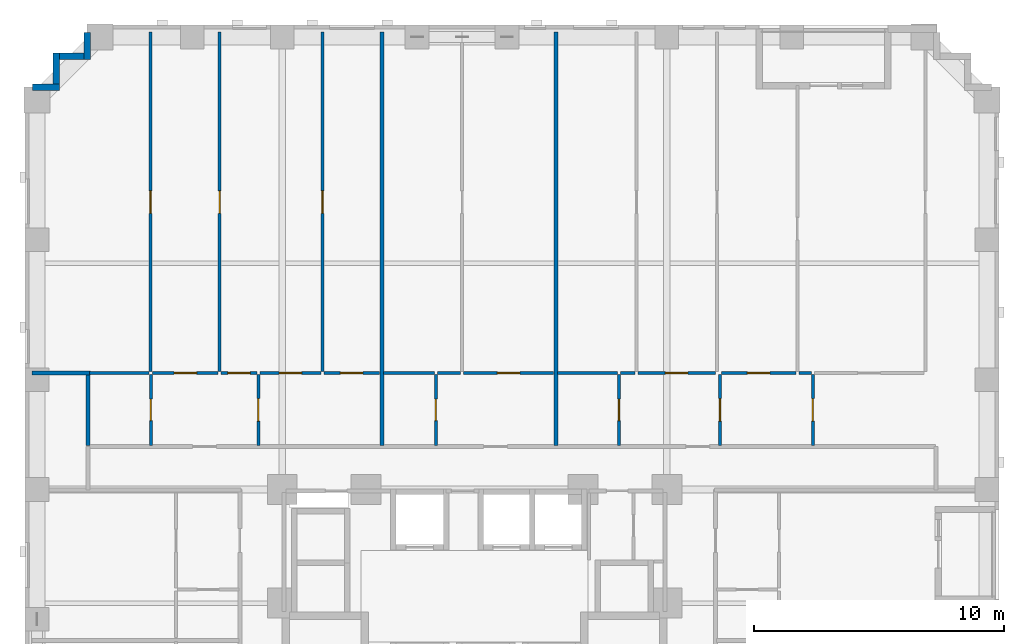
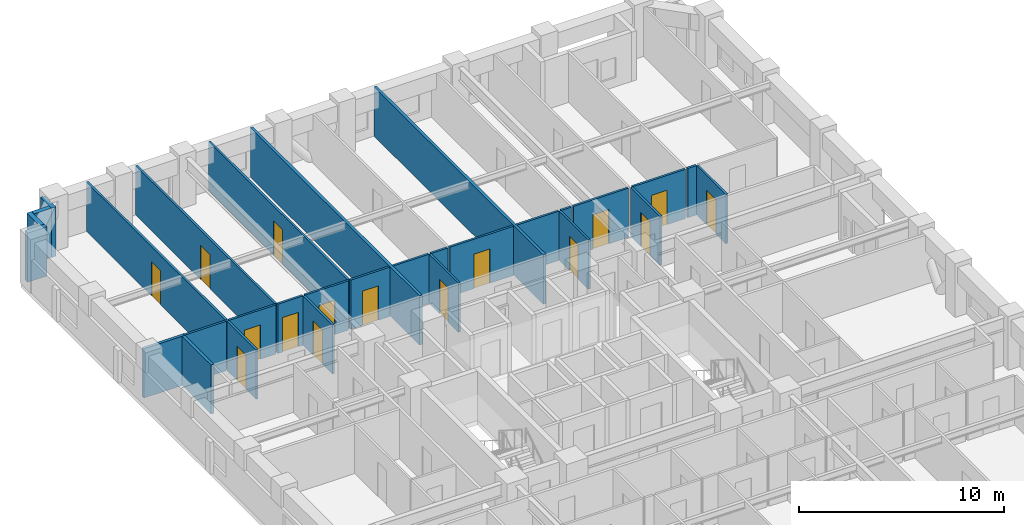
# One storey, part 7 of 13: 30 walls, 16 doors, 16 openings.
"""IFC4 building model written with IfcOpenShell, lengths in metres."""

import ifcopenshell
import ifcopenshell.guid

model = None  # the IFC model being written
_history = None  # IfcOwnerHistory: only IFC2X3 demands one
_inside = {}  # id of a spatial element -> (the spatial element, [elements in it])
_under = {}  # id of a project, library or spatial element -> (it, [spatial elements below it])
_declared = {}  # id of a project -> (the project, [libraries it declares])
_typed = {}  # id of a type object -> (the type object, [elements of that type])
_made_of = {}  # id of a material, layer set ... -> (it, [elements and type objects made of it])


def new_model(schema):
    """Start an empty IFC model of exactly this schema.

    Asked for "IFC4X3", IfcOpenShell would pick the latest addendum, in which some entities
    have other attributes; the version numbers below select the first issue.
    IFC2X3 requires an IfcOwnerHistory on every rooted entity: one is made here for all.
    """
    global model, _history
    if schema == "IFC4X3":
        model = ifcopenshell.file(schema_version=(4, 3, 0, 0))
    else:
        model = ifcopenshell.file(schema=schema)
    _inside.clear()
    _under.clear()
    _declared.clear()
    _typed.clear()
    _made_of.clear()
    _history = None
    if model.schema == "IFC2X3":
        org = make("IfcOrganization", Name="unknown")
        user = make(
            "IfcPersonAndOrganization",
            ThePerson=make("IfcPerson", FamilyName="unknown"),
            TheOrganization=org,
        )
        app = make(
            "IfcApplication",
            ApplicationDeveloper=org,
            Version="unknown",
            ApplicationFullName="unknown",
            ApplicationIdentifier="unknown",
        )
        _history = make(
            "IfcOwnerHistory",
            OwningUser=user,
            OwningApplication=app,
            ChangeAction="ADDED",
            CreationDate=0,
        )
    return model


def make(cls, **values):
    """One entity of the class cls with the attributes given. An attribute that is None is left unset."""
    return model.create_entity(
        cls, **{name: value for name, value in values.items() if value is not None}
    )


def rooted(cls, **values):
    """An entity with a GlobalId (a new one), such as an element, a storey or a relation."""
    return make(cls, GlobalId=ifcopenshell.guid.new(), OwnerHistory=_history, **values)


def si_unit(unit_type, name, prefix=None):
    """IfcSIUnit, for example si_unit("LENGTHUNIT", "METRE", prefix="MILLI")."""
    return make("IfcSIUnit", UnitType=unit_type, Prefix=prefix, Name=name)


def derived_unit(unit_type, elements):
    """IfcDerivedUnit: a product of units, each with its exponent."""
    return make(
        "IfcDerivedUnit",
        Elements=[
            make("IfcDerivedUnitElement", Unit=unit, Exponent=power)
            for unit, power in elements
        ],
        UnitType=unit_type,
    )


def assignment(units):
    """IfcUnitAssignment: the units of a project."""
    return None if units is None else make("IfcUnitAssignment", Units=units)


def point(xyz):
    """IfcCartesianPoint."""
    return None if xyz is None else make("IfcCartesianPoint", Coordinates=xyz)


def direction(xyz):
    """IfcDirection."""
    return None if xyz is None else make("IfcDirection", DirectionRatios=xyz)


def frame(location, z_axis=None, x_axis=None):
    """IfcAxis2Placement3D, a coordinate frame: its origin and axes. An axis left out is left unset."""
    return make(
        "IfcAxis2Placement3D",
        Location=point(location),
        Axis=direction(z_axis),
        RefDirection=direction(x_axis),
    )


def frame_2d(location, x_axis=None):
    """IfcAxis2Placement2D, a coordinate frame in the plane: its origin and x axis."""
    return make(
        "IfcAxis2Placement2D", Location=point(location), RefDirection=direction(x_axis)
    )


def origin():
    """The frame at (0, 0, 0) with its axes left unset."""
    return frame((0.0, 0.0, 0.0))


def place(relative_to, where):
    """IfcLocalPlacement: puts the frame where relative to a parent placement (None: the world)."""
    return make(
        "IfcLocalPlacement", PlacementRelTo=relative_to, RelativePlacement=where
    )


def context(
    kind, dimensions, precision=None, world=None, true_north=None, identifier=None
):
    """IfcGeometricRepresentationContext, for example the 3D "Model" context."""
    return make(
        "IfcGeometricRepresentationContext",
        ContextIdentifier=identifier,
        ContextType=kind,
        CoordinateSpaceDimension=dimensions,
        Precision=precision,
        WorldCoordinateSystem=world,
        TrueNorth=true_north,
    )


def subcontext(parent, identifier, kind, view, scale=None):
    """IfcGeometricRepresentationSubContext, for example "Body" below "Model"."""
    return make(
        "IfcGeometricRepresentationSubContext",
        ContextIdentifier=identifier,
        ContextType=kind,
        ParentContext=parent,
        TargetScale=scale,
        TargetView=view,
    )


def project(units=None, contexts=None):
    """IfcProject with its units and contexts."""
    return rooted(
        "IfcProject",
        Name="project",
        RepresentationContexts=contexts,
        UnitsInContext=assignment(units),
    )


def spatial(cls, under=None, at=None, **own):
    """A site, building, storey or space (cls), placed at a placement, below another one or the project."""
    s = rooted(cls, ObjectPlacement=at, **own)
    if under is not None:
        _under.setdefault(under.id(), (under, []))[1].append(s)
    return s


def profile(cls, at=None, kind="AREA", **sizes):
    """A parametric profile (cls). Its sizes go by their IFC names, for example OverallWidth=200.0."""
    return make(cls, ProfileType=kind, Position=at, **sizes)


def rectangle(**sizes):
    """IfcRectangleProfileDef."""
    return profile("IfcRectangleProfileDef", **sizes)


def extrude(swept, where, along, depth):
    """IfcExtrudedAreaSolid: the profile swept, set in the frame where, extruded along a direction by depth."""
    return make(
        "IfcExtrudedAreaSolid",
        SweptArea=swept,
        Position=where,
        ExtrudedDirection=direction(along),
        Depth=depth,
    )


def shape(context_of_items, identifier, shape_type, items):
    """IfcShapeRepresentation: the items that make up one representation, for example the "Body"."""
    return make(
        "IfcShapeRepresentation",
        ContextOfItems=context_of_items,
        RepresentationIdentifier=identifier,
        RepresentationType=shape_type,
        Items=items,
    )


def material(Name=None, Category=None):
    """IfcMaterial."""
    return make("IfcMaterial", Name=Name, Category=Category)


def layer(
    of_material, thickness, ventilated=None, Name=None, Category=None, Priority=None
):
    """IfcMaterialLayer: one layer of a wall or slab, of a material (None: an air gap)."""
    return make(
        "IfcMaterialLayer",
        Material=of_material,
        LayerThickness=thickness,
        IsVentilated=ventilated,
        Name=Name,
        Category=Category,
        Priority=Priority,
    )


def layer_set(layers, Name=None):
    """IfcMaterialLayerSet."""
    return make("IfcMaterialLayerSet", MaterialLayers=layers, LayerSetName=Name)


def made_of(thing, what):
    """Note that an element or type object is made of a material, layer set ...; save() writes the relation."""
    if what is not None:
        _made_of.setdefault(what.id(), (what, []))[1].append(thing)
    return thing


def type_object(cls, material=None, **own):
    """A type object (cls), such as IfcWallType, which elements share."""
    return made_of(rooted(cls, **own), material)


def element(
    cls,
    number,
    at=None,
    inside=None,
    cuts=None,
    type_object=None,
    material=None,
    context=None,
    identifier="Body",
    shape_type=None,
    held_by="IfcProductDefinitionShape",
    body=None,
    shapes=None,
    **own,
):
    """One element of the class cls, such as IfcWall. Its Tag is "e" and its number.

    at: its placement. inside: the storey or other place that contains it. cuts: it is an
    opening in that element (IfcRelVoidsElement). A single representation is given by context,
    identifier, shape_type and body (its items); several are given by shapes. held_by: the class
    of the entity that holds the representations. save() writes the other relations.
    """
    e = rooted(cls, Tag="e%d" % number, ObjectPlacement=at, **own)
    if body is not None:
        shapes = [shape(context, identifier, shape_type, body)]
    if shapes is not None:
        e.Representation = make(held_by, Representations=shapes)
    if inside is not None:
        _inside.setdefault(inside.id(), (inside, []))[1].append(e)
    if cuts is not None:
        rooted(
            "IfcRelVoidsElement", RelatingBuildingElement=cuts, RelatedOpeningElement=e
        )
    if type_object is not None:
        _typed.setdefault(type_object.id(), (type_object, []))[1].append(e)
    return made_of(e, material)


def fill(opening, filler):
    """IfcRelFillsElement: the door or window that sits in an opening."""
    return rooted(
        "IfcRelFillsElement",
        RelatingOpeningElement=opening,
        RelatedBuildingElement=filler,
    )


def aggregate(whole, parts):
    """IfcRelAggregates: a whole, such as a stair, and the parts it consists of."""
    return rooted("IfcRelAggregates", RelatingObject=whole, RelatedObjects=parts)


def save(model, path):
    """Write the relations noted so far, then the file.

    IfcRelAggregates (storeys below a building ...), IfcRelContainedInSpatialStructure (elements
    in a storey), IfcRelDefinesByType, IfcRelAssociatesMaterial and IfcRelDeclares: one each for
    every whole, place, type object, material and project.
    """
    for whole, parts in _under.values():
        aggregate(whole, parts)
    for where, things in _inside.values():
        rooted(
            "IfcRelContainedInSpatialStructure",
            RelatedElements=things,
            RelatingStructure=where,
        )
    for kind, things in _typed.values():
        rooted("IfcRelDefinesByType", RelatedObjects=things, RelatingType=kind)
    for what, things in _made_of.values():
        rooted("IfcRelAssociatesMaterial", RelatedObjects=things, RelatingMaterial=what)
    for by, libraries in _declared.values():
        rooted("IfcRelDeclares", RelatingContext=by, RelatedDefinitions=libraries)
    model.write(path)


model = new_model("IFC4")

# Units and contexts
model_context = context("Model", 3, precision=1e-05, world=origin(), true_north=direction((0.0, 1.0)))
body_context = subcontext(model_context, "Body", "Model", "MODEL_VIEW")
ifc_project = project(units=[si_unit("LENGTHUNIT", "METRE"), si_unit("AREAUNIT", "SQUARE_METRE"), si_unit("VOLUMEUNIT", "CUBIC_METRE"), si_unit("PLANEANGLEUNIT", "RADIAN"), si_unit("MASSUNIT", "GRAM", prefix="KILO"), derived_unit("THERMALTRANSMITTANCEUNIT", [(si_unit("MASSUNIT", "GRAM", prefix="KILO"), 1), (si_unit("TIMEUNIT", "SECOND"), -3), (si_unit("THERMODYNAMICTEMPERATUREUNIT", "KELVIN"), -1)])], contexts=[model_context])

# Site, building, storey
site_placement = place(None, origin())
site = spatial("IfcSite", under=ifc_project, at=site_placement, CompositionType="ELEMENT")
building_placement = place(site_placement, origin())
building = spatial("IfcBuilding", under=site, at=building_placement, Name="Korrvale Station Residences", CompositionType="ELEMENT")
storey_placement = place(building_placement, frame((0.0, 0.0, 32.199951171875)))
storey = spatial("IfcBuildingStorey", under=building, at=storey_placement, Name="L07", CompositionType="ELEMENT", Elevation=32.199951171875)

# Walls
ifc_material_1 = material(Name="Precast concrete C45/55", Category="concrete")
ifc_layer_1 = layer(ifc_material_1, 0.260009765625, Name="Precast concrete C45/55")
ifc_layer_set_1 = layer_set([ifc_layer_1], Name="Precast concrete C45/55")
wall_type_1 = type_object("IfcWallType", Name="WAL-EXT-LOG260", PredefinedType="SOLIDWALL", material=ifc_layer_set_1)
wall_1_placement = place(storey_placement, frame((7.802001953125, 45.10009765625, 0.0), z_axis=(0.0, 0.0, 1.0), x_axis=(1.0, 0.0, 0.0)))
element("IfcWall", 1, at=wall_1_placement, inside=storey, type_object=wall_type_1, Name="L07 Serrated Corner Precast Step NW-1", PredefinedType="SOLIDWALL", context=body_context, shape_type="SweptSolid", body=[
    extrude(rectangle(XDim=1.077880859375, YDim=0.260009765625, at=frame_2d((0.5390625, 0.0))), origin(), (0.0, 0.0, 1.0), 2.93994140625),
])
wall_2_placement = place(storey_placement, frame((8.75, 45.23193359375, 0.0), z_axis=(0.0, 0.0, 1.0), x_axis=(0.0, 1.0, 0.0)))
element("IfcWall", 2, at=wall_2_placement, inside=storey, type_object=wall_type_1, Name="L07 Serrated Corner Precast Step NW-2", PredefinedType="SOLIDWALL", context=body_context, shape_type="SweptSolid", body=[
    extrude(rectangle(XDim=1.248046875, YDim=0.260009765625, at=frame_2d((0.6240234375, 0.0))), origin(), (0.0, 0.0, 1.0), 2.93994140625),
])
wall_3_placement = place(storey_placement, frame((8.882080078125, 46.35009765625, 0.0), z_axis=(0.0, 0.0, 1.0), x_axis=(1.0, 0.0, 0.0)))
element("IfcWall", 3, at=wall_3_placement, inside=storey, type_object=wall_type_1, Name="L07 Serrated Corner Precast Step NW-3", PredefinedType="SOLIDWALL", context=body_context, shape_type="SweptSolid", body=[
    extrude(rectangle(XDim=0.98583984375, YDim=0.260009765625, at=frame_2d((0.492919921875, 0.0))), origin(), (0.0, 0.0, 1.0), 2.93994140625),
])
wall_4_placement = place(storey_placement, frame((10.0, 46.219970703125, 0.0), z_axis=(0.0, 0.0, 1.0), x_axis=(0.0, 1.0, 0.0)))
element("IfcWall", 4, at=wall_4_placement, inside=storey, type_object=wall_type_1, Name="L07 Serrated Corner Precast Step NW-4", PredefinedType="SOLIDWALL", context=body_context, shape_type="SweptSolid", body=[
    extrude(rectangle(XDim=1.078125, YDim=0.260009765625, at=frame_2d((0.5390625, 0.0))), origin(), (0.0, 0.0, 1.0), 2.93994140625),
])

# Wall, opening, door
ifc_material_2 = material(Name="Acoustic steel-stud gypsum board partition", Category="steel")
ifc_layer_2 = layer(ifc_material_2, 0.1201171875, Name="Acoustic steel-stud gypsum board partition")
ifc_layer_set_2 = layer_set([ifc_layer_2], Name="Acoustic steel-stud gypsum board partition")
wall_type_2 = type_object("IfcWallType", Name="WAL-PART-125", PredefinedType="PARTITIONING", material=ifc_layer_set_2)
wall_5_placement = place(storey_placement, frame((12.5400390625, 30.760009765625, 0.0), z_axis=(0.0, 0.0, 1.0), x_axis=(0.0, 1.0, 0.0)))
wall_5 = element("IfcWall", 5, at=wall_5_placement, inside=storey, type_object=wall_type_2, Name="L07 Suite Partition U04-V01", PredefinedType="PARTITIONING", context=body_context, shape_type="SweptSolid", body=[
    extrude(rectangle(XDim=2.85009765625, YDim=0.1201171875, at=frame_2d((1.425048828125, 0.0))), origin(), (0.0, 0.0, 1.0), 2.93994140625),
])
opening_1_placement = place(wall_5_placement, frame((0.9951171875, 0.0, 0.0)))
opening_1 = element("IfcOpeningElement", 6, at=opening_1_placement, cuts=wall_5, Name="Opening DB-860", PredefinedType="OPENING", context=body_context, shape_type="SweptSolid", body=[
    extrude(rectangle(XDim=0.860107421875, YDim=2.050048828125, at=frame_2d((0.43017578125, 1.02490234375))), frame((0.0, 0.070068359375, 0.0), z_axis=(0.0, -1.0, 0.0), x_axis=(1.0, 0.0, 0.0)), (0.0, 0.0, 1.0), 0.14013671875),
])
ifc_material_3 = material(Name="Moisture-resistant solid-core bathroom door", Category="timber")
door_type_1 = type_object("IfcDoorType", Name="DR-BATH-860", OperationType="NOTDEFINED", PredefinedType="DOOR", material=ifc_material_3)
door_1_placement = place(opening_1_placement, origin())
door_1 = element("IfcDoor", 7, at=door_1_placement, inside=storey, type_object=door_type_1, Name="L07 Apartment 1BR L07-U04 Bathroom Door", OperationType="SINGLE_SWING_RIGHT", OverallHeight=2.050048828125, OverallWidth=0.860107421875, PredefinedType="DOOR", context=body_context, shape_type="SweptSolid", body=[
    extrude(rectangle(XDim=0.860107421875, YDim=2.050048828125, at=frame_2d((0.43017578125, 1.02490234375))), frame((0.0, 0.02490234375, 0.0), z_axis=(0.0, -1.0, 0.0), x_axis=(1.0, 0.0, 0.0)), (0.0, 0.0, 1.0), 0.050048828125),
])
fill(opening_1, door_1)

# Wall
wall_6_placement = place(storey_placement, frame((10.080078125, 33.669921875, 0.0), z_axis=(0.0, 0.0, 1.0), x_axis=(1.0, 0.0, 0.0)))
element("IfcWall", 8, at=wall_6_placement, inside=storey, type_object=wall_type_2, Name="L07 Suite Partition U04-H03", PredefinedType="PARTITIONING", context=body_context, shape_type="SweptSolid", body=[
    extrude(rectangle(XDim=2.3818359375, YDim=0.1201171875, at=frame_2d((1.19091796875, 0.0))), origin(), (0.0, 0.0, 1.0), 2.93994140625),
])

# Wall, opening, door
wall_7_placement = place(storey_placement, frame((16.840087890625, 30.760009765625, 0.0), z_axis=(0.0, 0.0, 1.0), x_axis=(0.0, 1.0, 0.0)))
wall_7 = element("IfcWall", 9, at=wall_7_placement, inside=storey, type_object=wall_type_2, Name="L07 Suite Partition U04-V12", PredefinedType="PARTITIONING", context=body_context, shape_type="SweptSolid", body=[
    extrude(rectangle(XDim=2.85009765625, YDim=0.1201171875, at=frame_2d((1.425048828125, 0.0))), origin(), (0.0, 0.0, 1.0), 2.93994140625),
])
opening_2_placement = place(wall_7_placement, frame((0.97509765625, 0.0, 0.0)))
opening_2 = element("IfcOpeningElement", 10, at=opening_2_placement, cuts=wall_7, Name="Opening DI-900", PredefinedType="OPENING", context=body_context, shape_type="SweptSolid", body=[
    extrude(rectangle(XDim=0.89990234375, YDim=2.050048828125, at=frame_2d((0.449951171875, 1.02490234375))), frame((0.0, 0.070068359375, 0.0), z_axis=(0.0, -1.0, 0.0), x_axis=(1.0, 0.0, 0.0)), (0.0, 0.0, 1.0), 0.14013671875),
])
ifc_material_4 = material(Name="Painted solid-core timber interior room door", Category="wood")
door_type_2 = type_object("IfcDoorType", Name="DR-INT-900", OperationType="NOTDEFINED", PredefinedType="DOOR", material=ifc_material_4)
door_2_placement = place(opening_2_placement, origin())
door_2 = element("IfcDoor", 11, at=door_2_placement, inside=storey, type_object=door_type_2, Name="L07 Apartment 1BR L07-U04 Kitchen Door", OperationType="SINGLE_SWING_LEFT", OverallHeight=2.050048828125, OverallWidth=0.89990234375, PredefinedType="DOOR", context=body_context, shape_type="SweptSolid", body=[
    extrude(rectangle(XDim=0.89990234375, YDim=2.050048828125, at=frame_2d((0.449951171875, 1.02490234375))), frame((0.0, 0.02490234375, 0.0), z_axis=(0.0, -1.0, 0.0), x_axis=(1.0, 0.0, 0.0)), (0.0, 0.0, 1.0), 0.050048828125),
])
fill(opening_2, door_2)

wall_8_placement = place(storey_placement, frame((12.60009765625, 33.669921875, 0.0), z_axis=(0.0, 0.0, 1.0), x_axis=(1.0, 0.0, 0.0)))
wall_8 = element("IfcWall", 12, at=wall_8_placement, inside=storey, type_object=wall_type_2, Name="L07 Suite Partition U04-H14", PredefinedType="PARTITIONING", context=body_context, shape_type="SweptSolid", body=[
    extrude(rectangle(XDim=2.636962890625, YDim=0.1201171875, at=frame_2d((1.318359375, 0.0))), origin(), (0.0, 0.0, 1.0), 2.93994140625),
])
opening_3_placement = place(wall_8_placement, frame((0.867919921875, 0.0, 0.0)))
opening_3 = element("IfcOpeningElement", 13, at=opening_3_placement, cuts=wall_8, Name="Opening DI-900", PredefinedType="OPENING", context=body_context, shape_type="SweptSolid", body=[
    extrude(rectangle(XDim=0.89990234375, YDim=2.050048828125, at=frame_2d((0.449951171875, 1.02490234375))), frame((0.0, 0.070068359375, 0.0), z_axis=(0.0, -1.0, 0.0), x_axis=(1.0, 0.0, 0.0)), (0.0, 0.0, 1.0), 0.14013671875),
])
door_3_placement = place(opening_3_placement, origin())
door_3 = element("IfcDoor", 14, at=door_3_placement, inside=storey, type_object=door_type_2, Name="L07 Apartment 1BR L07-U04 Kitchen Door", OperationType="SINGLE_SWING_RIGHT", OverallHeight=2.050048828125, OverallWidth=0.89990234375, PredefinedType="DOOR", context=body_context, shape_type="SweptSolid", body=[
    extrude(rectangle(XDim=0.89990234375, YDim=2.050048828125, at=frame_2d((0.449951171875, 1.02490234375))), frame((0.0, 0.02490234375, 0.0), z_axis=(0.0, -1.0, 0.0), x_axis=(1.0, 0.0, 0.0)), (0.0, 0.0, 1.0), 0.050048828125),
])
fill(opening_3, door_3)

wall_9_placement = place(storey_placement, frame((15.35693359375, 33.669921875, 0.0), z_axis=(0.0, 0.0, 1.0), x_axis=(1.0, 0.0, 0.0)))
wall_9 = element("IfcWall", 15, at=wall_9_placement, inside=storey, type_object=wall_type_2, Name="L07 Suite Partition U04-H15", PredefinedType="PARTITIONING", context=body_context, shape_type="SweptSolid", body=[
    extrude(rectangle(XDim=1.423095703125, YDim=0.1201171875, at=frame_2d((0.71142578125, 0.0))), origin(), (0.0, 0.0, 1.0), 2.93994140625),
])
opening_4_placement = place(wall_9_placement, frame((0.261962890625, 0.0, 0.0)))
opening_4 = element("IfcOpeningElement", 16, at=opening_4_placement, cuts=wall_9, Name="Opening DI-900", PredefinedType="OPENING", context=body_context, shape_type="SweptSolid", body=[
    extrude(rectangle(XDim=0.89990234375, YDim=2.050048828125, at=frame_2d((0.449951171875, 1.02490234375))), frame((0.0, 0.070068359375, 0.0), z_axis=(0.0, -1.0, 0.0), x_axis=(1.0, 0.0, 0.0)), (0.0, 0.0, 1.0), 0.14013671875),
])
door_4_placement = place(opening_4_placement, origin())
door_4 = element("IfcDoor", 17, at=door_4_placement, inside=storey, type_object=door_type_2, Name="L07 Apartment 1BR L07-U04 Kitchen Door", OperationType="SINGLE_SWING_LEFT", OverallHeight=2.050048828125, OverallWidth=0.89990234375, PredefinedType="DOOR", context=body_context, shape_type="SweptSolid", body=[
    extrude(rectangle(XDim=0.89990234375, YDim=2.050048828125, at=frame_2d((0.449951171875, 1.02490234375))), frame((0.0, 0.02490234375, 0.0), z_axis=(0.0, -1.0, 0.0), x_axis=(1.0, 0.0, 0.0)), (0.0, 0.0, 1.0), 0.050048828125),
])
fill(opening_4, door_4)

wall_10_placement = place(storey_placement, frame((16.89990234375, 33.669921875, 0.0), z_axis=(0.0, 0.0, 1.0), x_axis=(1.0, 0.0, 0.0)))
wall_10 = element("IfcWall", 18, at=wall_10_placement, inside=storey, type_object=wall_type_2, Name="L07 Suite Partition U04-H25", PredefinedType="PARTITIONING", context=body_context, shape_type="SweptSolid", body=[
    extrude(rectangle(XDim=2.4541015625, YDim=0.1201171875, at=frame_2d((1.22705078125, 0.0))), origin(), (0.0, 0.0, 1.0), 2.93994140625),
])
opening_5_placement = place(wall_10_placement, frame((0.777099609375, 0.0, 0.0)))
opening_5 = element("IfcOpeningElement", 19, at=opening_5_placement, cuts=wall_10, Name="Opening DI-900", PredefinedType="OPENING", context=body_context, shape_type="SweptSolid", body=[
    extrude(rectangle(XDim=0.89990234375, YDim=2.050048828125, at=frame_2d((0.449951171875, 1.02490234375))), frame((0.0, 0.070068359375, 0.0), z_axis=(0.0, -1.0, 0.0), x_axis=(1.0, 0.0, 0.0)), (0.0, 0.0, 1.0), 0.14013671875),
])
door_5_placement = place(opening_5_placement, origin())
door_5 = element("IfcDoor", 20, at=door_5_placement, inside=storey, type_object=door_type_2, Name="L07 Apartment 1BR L07-U04 Utility and Laundry Room Door", OperationType="SINGLE_SWING_RIGHT", OverallHeight=2.050048828125, OverallWidth=0.89990234375, PredefinedType="DOOR", context=body_context, shape_type="SweptSolid", body=[
    extrude(rectangle(XDim=0.89990234375, YDim=2.050048828125, at=frame_2d((0.449951171875, 1.02490234375))), frame((0.0, 0.02490234375, 0.0), z_axis=(0.0, -1.0, 0.0), x_axis=(1.0, 0.0, 0.0)), (0.0, 0.0, 1.0), 0.050048828125),
])
fill(opening_5, door_5)

wall_11_placement = place(storey_placement, frame((19.47412109375, 33.669921875, 0.0), z_axis=(0.0, 0.0, 1.0), x_axis=(1.0, 0.0, 0.0)))
wall_11 = element("IfcWall", 21, at=wall_11_placement, inside=storey, type_object=wall_type_2, Name="L07 Suite Partition U04-H26", PredefinedType="PARTITIONING", context=body_context, shape_type="SweptSolid", body=[
    extrude(rectangle(XDim=2.2119140625, YDim=0.1201171875, at=frame_2d((1.10595703125, 0.0))), origin(), (0.0, 0.0, 1.0), 2.93994140625),
])
opening_6_placement = place(wall_11_placement, frame((0.656005859375, 0.0, 0.0)))
opening_6 = element("IfcOpeningElement", 22, at=opening_6_placement, cuts=wall_11, Name="Opening DI-900", PredefinedType="OPENING", context=body_context, shape_type="SweptSolid", body=[
    extrude(rectangle(XDim=0.89990234375, YDim=2.050048828125, at=frame_2d((0.449951171875, 1.02490234375))), frame((0.0, 0.070068359375, 0.0), z_axis=(0.0, -1.0, 0.0), x_axis=(1.0, 0.0, 0.0)), (0.0, 0.0, 1.0), 0.14013671875),
])
door_6_placement = place(opening_6_placement, origin())
door_6 = element("IfcDoor", 23, at=door_6_placement, inside=storey, type_object=door_type_2, Name="L07 Apartment 1BR L07-U04 Utility and Laundry Room Door", OperationType="SINGLE_SWING_LEFT", OverallHeight=2.050048828125, OverallWidth=0.89990234375, PredefinedType="DOOR", context=body_context, shape_type="SweptSolid", body=[
    extrude(rectangle(XDim=0.89990234375, YDim=2.050048828125, at=frame_2d((0.449951171875, 1.02490234375))), frame((0.0, 0.02490234375, 0.0), z_axis=(0.0, -1.0, 0.0), x_axis=(1.0, 0.0, 0.0)), (0.0, 0.0, 1.0), 0.050048828125),
])
fill(opening_6, door_6)

wall_12_placement = place(storey_placement, frame((12.52197265625, 33.72998046875, 0.0), z_axis=(0.0, 0.0, 1.0), x_axis=(0.0, 1.0, 0.0)))
wall_12 = element("IfcWall", 24, at=wall_12_placement, inside=storey, type_object=wall_type_2, Name="L07 Suite Partition U04-V34", PredefinedType="PARTITIONING", context=body_context, shape_type="SweptSolid", body=[
    extrude(rectangle(XDim=13.590087890625, YDim=0.1201171875, at=frame_2d((6.794921875, 0.0))), origin(), (0.0, 0.0, 1.0), 2.93994140625),
])
opening_7_placement = place(wall_12_placement, frame((6.330078125, 0.0, 0.0)))
opening_7 = element("IfcOpeningElement", 25, at=opening_7_placement, cuts=wall_12, Name="Opening DI-900", PredefinedType="OPENING", context=body_context, shape_type="SweptSolid", body=[
    extrude(rectangle(XDim=0.89990234375, YDim=2.050048828125, at=frame_2d((0.449951171875, 1.02490234375))), frame((0.0, 0.070068359375, 0.0), z_axis=(0.0, -1.0, 0.0), x_axis=(1.0, 0.0, 0.0)), (0.0, 0.0, 1.0), 0.14013671875),
])
door_7_placement = place(opening_7_placement, origin())
door_7 = element("IfcDoor", 26, at=door_7_placement, inside=storey, type_object=door_type_2, Name="L07 Apartment 1BR L07-U04 Living and Dining Room Door", OperationType="SINGLE_SWING_RIGHT", OverallHeight=2.050048828125, OverallWidth=0.89990234375, PredefinedType="DOOR", context=body_context, shape_type="SweptSolid", body=[
    extrude(rectangle(XDim=0.89990234375, YDim=2.050048828125, at=frame_2d((0.449951171875, 1.02490234375))), frame((0.0, 0.02490234375, 0.0), z_axis=(0.0, -1.0, 0.0), x_axis=(1.0, 0.0, 0.0)), (0.0, 0.0, 1.0), 0.050048828125),
])
fill(opening_7, door_7)

wall_13_placement = place(storey_placement, frame((15.297119140625, 33.72998046875, 0.0), z_axis=(0.0, 0.0, 1.0), x_axis=(0.0, 1.0, 0.0)))
wall_13 = element("IfcWall", 27, at=wall_13_placement, inside=storey, type_object=wall_type_2, Name="L07 Suite Partition U04-V45", PredefinedType="PARTITIONING", context=body_context, shape_type="SweptSolid", body=[
    extrude(rectangle(XDim=13.590087890625, YDim=0.1201171875, at=frame_2d((6.794921875, 0.0))), origin(), (0.0, 0.0, 1.0), 2.93994140625),
])
opening_8_placement = place(wall_13_placement, frame((6.330078125, 0.0, 0.0)))
opening_8 = element("IfcOpeningElement", 28, at=opening_8_placement, cuts=wall_13, Name="Opening DI-900", PredefinedType="OPENING", context=body_context, shape_type="SweptSolid", body=[
    extrude(rectangle(XDim=0.89990234375, YDim=2.050048828125, at=frame_2d((0.449951171875, 1.02490234375))), frame((0.0, 0.070068359375, 0.0), z_axis=(0.0, -1.0, 0.0), x_axis=(1.0, 0.0, 0.0)), (0.0, 0.0, 1.0), 0.14013671875),
])
door_8_placement = place(opening_8_placement, origin())
door_8 = element("IfcDoor", 29, at=door_8_placement, inside=storey, type_object=door_type_2, Name="L07 Apartment 1BR L07-U04 Wardrobe Storage Room Door", OperationType="SINGLE_SWING_LEFT", OverallHeight=2.050048828125, OverallWidth=0.89990234375, PredefinedType="DOOR", context=body_context, shape_type="SweptSolid", body=[
    extrude(rectangle(XDim=0.89990234375, YDim=2.050048828125, at=frame_2d((0.449951171875, 1.02490234375))), frame((0.0, 0.02490234375, 0.0), z_axis=(0.0, -1.0, 0.0), x_axis=(1.0, 0.0, 0.0)), (0.0, 0.0, 1.0), 0.050048828125),
])
fill(opening_8, door_8)

wall_14_placement = place(storey_placement, frame((19.4140625, 33.72998046875, 0.0), z_axis=(0.0, 0.0, 1.0), x_axis=(0.0, 1.0, 0.0)))
wall_14 = element("IfcWall", 30, at=wall_14_placement, inside=storey, type_object=wall_type_2, Name="L07 Suite Partition U04-V56", PredefinedType="PARTITIONING", context=body_context, shape_type="SweptSolid", body=[
    extrude(rectangle(XDim=13.590087890625, YDim=0.1201171875, at=frame_2d((6.794921875, 0.0))), origin(), (0.0, 0.0, 1.0), 2.93994140625),
])
opening_9_placement = place(wall_14_placement, frame((6.330078125, 0.0, 0.0)))
opening_9 = element("IfcOpeningElement", 31, at=opening_9_placement, cuts=wall_14, Name="Opening DI-900", PredefinedType="OPENING", context=body_context, shape_type="SweptSolid", body=[
    extrude(rectangle(XDim=0.89990234375, YDim=2.050048828125, at=frame_2d((0.449951171875, 1.02490234375))), frame((0.0, 0.070068359375, 0.0), z_axis=(0.0, -1.0, 0.0), x_axis=(1.0, 0.0, 0.0)), (0.0, 0.0, 1.0), 0.14013671875),
])
door_9_placement = place(opening_9_placement, origin())
door_9 = element("IfcDoor", 32, at=door_9_placement, inside=storey, type_object=door_type_2, Name="L07 Apartment 1BR L07-U04 Family Lounge Room Door", OperationType="SINGLE_SWING_RIGHT", OverallHeight=2.050048828125, OverallWidth=0.89990234375, PredefinedType="DOOR", context=body_context, shape_type="SweptSolid", body=[
    extrude(rectangle(XDim=0.89990234375, YDim=2.050048828125, at=frame_2d((0.449951171875, 1.02490234375))), frame((0.0, 0.02490234375, 0.0), z_axis=(0.0, -1.0, 0.0), x_axis=(1.0, 0.0, 0.0)), (0.0, 0.0, 1.0), 0.050048828125),
])
fill(opening_9, door_9)

wall_15_placement = place(storey_placement, frame((23.950927734375, 30.760009765625, 0.0), z_axis=(0.0, 0.0, 1.0), x_axis=(0.0, 1.0, 0.0)))
wall_15 = element("IfcWall", 33, at=wall_15_placement, inside=storey, type_object=wall_type_2, Name="L07 Suite Partition U05-V01", PredefinedType="PARTITIONING", context=body_context, shape_type="SweptSolid", body=[
    extrude(rectangle(XDim=2.85009765625, YDim=0.1201171875, at=frame_2d((1.425048828125, 0.0))), origin(), (0.0, 0.0, 1.0), 2.93994140625),
])
opening_10_placement = place(wall_15_placement, frame((0.9951171875, 0.0, 0.0)))
opening_10 = element("IfcOpeningElement", 34, at=opening_10_placement, cuts=wall_15, Name="Opening DB-860", PredefinedType="OPENING", context=body_context, shape_type="SweptSolid", body=[
    extrude(rectangle(XDim=0.860107421875, YDim=2.050048828125, at=frame_2d((0.43017578125, 1.02490234375))), frame((0.0, 0.070068359375, 0.0), z_axis=(0.0, -1.0, 0.0), x_axis=(1.0, 0.0, 0.0)), (0.0, 0.0, 1.0), 0.14013671875),
])
door_10_placement = place(opening_10_placement, origin())
door_10 = element("IfcDoor", 35, at=door_10_placement, inside=storey, type_object=door_type_1, Name="L07 Studio Apartment L07-U05 Bathroom Door", OperationType="SINGLE_SWING_LEFT", OverallHeight=2.050048828125, OverallWidth=0.860107421875, PredefinedType="DOOR", context=body_context, shape_type="SweptSolid", body=[
    extrude(rectangle(XDim=0.860107421875, YDim=2.050048828125, at=frame_2d((0.43017578125, 1.02490234375))), frame((0.0, 0.02490234375, 0.0), z_axis=(0.0, -1.0, 0.0), x_axis=(1.0, 0.0, 0.0)), (0.0, 0.0, 1.0), 0.050048828125),
])
fill(opening_10, door_10)

# Walls
wall_16_placement = place(storey_placement, frame((21.845947265625, 33.669921875, 0.0), z_axis=(0.0, 0.0, 1.0), x_axis=(1.0, 0.0, 0.0)))
element("IfcWall", 36, at=wall_16_placement, inside=storey, type_object=wall_type_2, Name="L07 Suite Partition U05-H02", PredefinedType="PARTITIONING", context=body_context, shape_type="SweptSolid", body=[
    extrude(rectangle(XDim=2.045166015625, YDim=0.1201171875, at=frame_2d((1.0224609375, 0.0))), origin(), (0.0, 0.0, 1.0), 2.93994140625),
])
wall_17_placement = place(storey_placement, frame((24.010986328125, 33.669921875, 0.0), z_axis=(0.0, 0.0, 1.0), x_axis=(1.0, 0.0, 0.0)))
element("IfcWall", 37, at=wall_17_placement, inside=storey, type_object=wall_type_2, Name="L07 Suite Partition U05-H12", PredefinedType="PARTITIONING", context=body_context, shape_type="SweptSolid", body=[
    extrude(rectangle(XDim=0.93505859375, YDim=0.1201171875, at=frame_2d((0.467529296875, 0.0))), origin(), (0.0, 0.0, 1.0), 2.93994140625),
])

# Wall, opening, door
wall_18_placement = place(storey_placement, frame((25.06591796875, 33.669921875, 0.0), z_axis=(0.0, 0.0, 1.0), x_axis=(1.0, 0.0, 0.0)))
wall_18 = element("IfcWall", 38, at=wall_18_placement, inside=storey, type_object=wall_type_2, Name="L07 Suite Partition U05-H13", PredefinedType="PARTITIONING", context=body_context, shape_type="SweptSolid", body=[
    extrude(rectangle(XDim=3.59814453125, YDim=0.1201171875, at=frame_2d((1.799072265625, 0.0))), origin(), (0.0, 0.0, 1.0), 2.93994140625),
])
opening_11_placement = place(wall_18_placement, frame((1.34912109375, 0.0, 0.0)))
opening_11 = element("IfcOpeningElement", 39, at=opening_11_placement, cuts=wall_18, Name="Opening DI-900", PredefinedType="OPENING", context=body_context, shape_type="SweptSolid", body=[
    extrude(rectangle(XDim=0.89990234375, YDim=2.050048828125, at=frame_2d((0.449951171875, 1.02490234375))), frame((0.0, 0.070068359375, 0.0), z_axis=(0.0, -1.0, 0.0), x_axis=(1.0, 0.0, 0.0)), (0.0, 0.0, 1.0), 0.14013671875),
])
door_11_placement = place(opening_11_placement, origin())
door_11 = element("IfcDoor", 40, at=door_11_placement, inside=storey, type_object=door_type_2, Name="L07 Studio Apartment L07-U05 Kitchen Door", OperationType="SINGLE_SWING_RIGHT", OverallHeight=2.050048828125, OverallWidth=0.89990234375, PredefinedType="DOOR", context=body_context, shape_type="SweptSolid", body=[
    extrude(rectangle(XDim=0.89990234375, YDim=2.050048828125, at=frame_2d((0.449951171875, 1.02490234375))), frame((0.0, 0.02490234375, 0.0), z_axis=(0.0, -1.0, 0.0), x_axis=(1.0, 0.0, 0.0)), (0.0, 0.0, 1.0), 0.050048828125),
])
fill(opening_11, door_11)

wall_19_placement = place(storey_placement, frame((31.283935546875, 30.760009765625, 0.0), z_axis=(0.0, 0.0, 1.0), x_axis=(0.0, 1.0, 0.0)))
wall_19 = element("IfcWall", 41, at=wall_19_placement, inside=storey, type_object=wall_type_2, Name="L07 Suite Partition U06-V01", PredefinedType="PARTITIONING", context=body_context, shape_type="SweptSolid", body=[
    extrude(rectangle(XDim=2.85009765625, YDim=0.1201171875, at=frame_2d((1.425048828125, 0.0))), origin(), (0.0, 0.0, 1.0), 2.93994140625),
])
opening_12_placement = place(wall_19_placement, frame((0.9951171875, 0.0, 0.0)))
opening_12 = element("IfcOpeningElement", 42, at=opening_12_placement, cuts=wall_19, Name="Opening DB-860", PredefinedType="OPENING", context=body_context, shape_type="SweptSolid", body=[
    extrude(rectangle(XDim=0.860107421875, YDim=2.050048828125, at=frame_2d((0.43017578125, 1.02490234375))), frame((0.0, 0.070068359375, 0.0), z_axis=(0.0, -1.0, 0.0), x_axis=(1.0, 0.0, 0.0)), (0.0, 0.0, 1.0), 0.14013671875),
])
door_12_placement = place(opening_12_placement, origin())
door_12 = element("IfcDoor", 43, at=door_12_placement, inside=storey, type_object=door_type_1, Name="L07 Studio Apartment L07-U06 Bathroom Door", OperationType="SINGLE_SWING_RIGHT", OverallHeight=2.050048828125, OverallWidth=0.860107421875, PredefinedType="DOOR", context=body_context, shape_type="SweptSolid", body=[
    extrude(rectangle(XDim=0.860107421875, YDim=2.050048828125, at=frame_2d((0.43017578125, 1.02490234375))), frame((0.0, 0.02490234375, 0.0), z_axis=(0.0, -1.0, 0.0), x_axis=(1.0, 0.0, 0.0)), (0.0, 0.0, 1.0), 0.050048828125),
])
fill(opening_12, door_12)

# Wall
wall_20_placement = place(storey_placement, frame((28.823974609375, 33.669921875, 0.0), z_axis=(0.0, 0.0, 1.0), x_axis=(1.0, 0.0, 0.0)))
element("IfcWall", 44, at=wall_20_placement, inside=storey, type_object=wall_type_2, Name="L07 Suite Partition U06-H04", PredefinedType="PARTITIONING", context=body_context, shape_type="SweptSolid", body=[
    extrude(rectangle(XDim=2.400146484375, YDim=0.1201171875, at=frame_2d((1.2001953125, 0.0))), origin(), (0.0, 0.0, 1.0), 2.93994140625),
])

# Wall, opening, door
wall_21_placement = place(storey_placement, frame((35.323974609375, 30.760009765625, 0.0), z_axis=(0.0, 0.0, 1.0), x_axis=(0.0, 1.0, 0.0)))
wall_21 = element("IfcWall", 45, at=wall_21_placement, inside=storey, type_object=wall_type_2, Name="L07 Suite Partition U06-V12", PredefinedType="PARTITIONING", context=body_context, shape_type="SweptSolid", body=[
    extrude(rectangle(XDim=2.85009765625, YDim=0.1201171875, at=frame_2d((1.425048828125, 0.0))), origin(), (0.0, 0.0, 1.0), 2.93994140625),
])
opening_13_placement = place(wall_21_placement, frame((0.97509765625, 0.0, 0.0)))
opening_13 = element("IfcOpeningElement", 46, at=opening_13_placement, cuts=wall_21, Name="Opening DI-900", PredefinedType="OPENING", context=body_context, shape_type="SweptSolid", body=[
    extrude(rectangle(XDim=0.89990234375, YDim=2.050048828125, at=frame_2d((0.449951171875, 1.02490234375))), frame((0.0, 0.070068359375, 0.0), z_axis=(0.0, -1.0, 0.0), x_axis=(1.0, 0.0, 0.0)), (0.0, 0.0, 1.0), 0.14013671875),
])
door_13_placement = place(opening_13_placement, origin())
door_13 = element("IfcDoor", 47, at=door_13_placement, inside=storey, type_object=door_type_2, Name="L07 Studio Apartment L07-U06 Kitchen Door", OperationType="SINGLE_SWING_LEFT", OverallHeight=2.050048828125, OverallWidth=0.89990234375, PredefinedType="DOOR", context=body_context, shape_type="SweptSolid", body=[
    extrude(rectangle(XDim=0.89990234375, YDim=2.050048828125, at=frame_2d((0.449951171875, 1.02490234375))), frame((0.0, 0.02490234375, 0.0), z_axis=(0.0, -1.0, 0.0), x_axis=(1.0, 0.0, 0.0)), (0.0, 0.0, 1.0), 0.050048828125),
])
fill(opening_13, door_13)

# Wall
wall_22_placement = place(storey_placement, frame((31.343994140625, 33.669921875, 0.0), z_axis=(0.0, 0.0, 1.0), x_axis=(1.0, 0.0, 0.0)))
element("IfcWall", 48, at=wall_22_placement, inside=storey, type_object=wall_type_2, Name="L07 Suite Partition U06-H14", PredefinedType="PARTITIONING", context=body_context, shape_type="SweptSolid", body=[
    extrude(rectangle(XDim=0.580078125, YDim=0.1201171875, at=frame_2d((0.2900390625, 0.0))), origin(), (0.0, 0.0, 1.0), 2.93994140625),
])

# Wall, opening, door
wall_23_placement = place(storey_placement, frame((32.0439453125, 33.669921875, 0.0), z_axis=(0.0, 0.0, 1.0), x_axis=(1.0, 0.0, 0.0)))
wall_23 = element("IfcWall", 49, at=wall_23_placement, inside=storey, type_object=wall_type_2, Name="L07 Suite Partition U06-H15", PredefinedType="PARTITIONING", context=body_context, shape_type="SweptSolid", body=[
    extrude(rectangle(XDim=3.10009765625, YDim=0.1201171875, at=frame_2d((1.550048828125, 0.0))), origin(), (0.0, 0.0, 1.0), 2.93994140625),
])
opening_14_placement = place(wall_23_placement, frame((1.10009765625, 0.0, 0.0)))
opening_14 = element("IfcOpeningElement", 50, at=opening_14_placement, cuts=wall_23, Name="Opening DI-900", PredefinedType="OPENING", context=body_context, shape_type="SweptSolid", body=[
    extrude(rectangle(XDim=0.89990234375, YDim=2.050048828125, at=frame_2d((0.449951171875, 1.02490234375))), frame((0.0, 0.070068359375, 0.0), z_axis=(0.0, -1.0, 0.0), x_axis=(1.0, 0.0, 0.0)), (0.0, 0.0, 1.0), 0.14013671875),
])
door_14_placement = place(opening_14_placement, origin())
door_14 = element("IfcDoor", 51, at=door_14_placement, inside=storey, type_object=door_type_2, Name="L07 Studio Apartment L07-U06 Kitchen Door", OperationType="SINGLE_SWING_RIGHT", OverallHeight=2.050048828125, OverallWidth=0.89990234375, PredefinedType="DOOR", context=body_context, shape_type="SweptSolid", body=[
    extrude(rectangle(XDim=0.89990234375, YDim=2.050048828125, at=frame_2d((0.449951171875, 1.02490234375))), frame((0.0, 0.02490234375, 0.0), z_axis=(0.0, -1.0, 0.0), x_axis=(1.0, 0.0, 0.0)), (0.0, 0.0, 1.0), 0.050048828125),
])
fill(opening_14, door_14)

wall_24_placement = place(storey_placement, frame((39.0439453125, 30.760009765625, 0.0), z_axis=(0.0, 0.0, 1.0), x_axis=(0.0, 1.0, 0.0)))
wall_24 = element("IfcWall", 52, at=wall_24_placement, inside=storey, type_object=wall_type_2, Name="L07 Suite Partition U06-V23", PredefinedType="PARTITIONING", context=body_context, shape_type="SweptSolid", body=[
    extrude(rectangle(XDim=2.85009765625, YDim=0.1201171875, at=frame_2d((1.425048828125, 0.0))), origin(), (0.0, 0.0, 1.0), 2.93994140625),
])
opening_15_placement = place(wall_24_placement, frame((0.97509765625, 0.0, 0.0)))
opening_15 = element("IfcOpeningElement", 53, at=opening_15_placement, cuts=wall_24, Name="Opening DI-900", PredefinedType="OPENING", context=body_context, shape_type="SweptSolid", body=[
    extrude(rectangle(XDim=0.89990234375, YDim=2.050048828125, at=frame_2d((0.449951171875, 1.02490234375))), frame((0.0, 0.070068359375, 0.0), z_axis=(0.0, -1.0, 0.0), x_axis=(1.0, 0.0, 0.0)), (0.0, 0.0, 1.0), 0.14013671875),
])
door_15_placement = place(opening_15_placement, origin())
door_15 = element("IfcDoor", 54, at=door_15_placement, inside=storey, type_object=door_type_2, Name="L07 Studio Apartment L07-U06 Utility and Laundry Room Door", OperationType="SINGLE_SWING_LEFT", OverallHeight=2.050048828125, OverallWidth=0.89990234375, PredefinedType="DOOR", context=body_context, shape_type="SweptSolid", body=[
    extrude(rectangle(XDim=0.89990234375, YDim=2.050048828125, at=frame_2d((0.449951171875, 1.02490234375))), frame((0.0, 0.02490234375, 0.0), z_axis=(0.0, -1.0, 0.0), x_axis=(1.0, 0.0, 0.0)), (0.0, 0.0, 1.0), 0.050048828125),
])
fill(opening_15, door_15)

wall_25_placement = place(storey_placement, frame((35.384033203125, 33.669921875, 0.0), z_axis=(0.0, 0.0, 1.0), x_axis=(1.0, 0.0, 0.0)))
wall_25 = element("IfcWall", 55, at=wall_25_placement, inside=storey, type_object=wall_type_2, Name="L07 Suite Partition U06-H26", PredefinedType="PARTITIONING", context=body_context, shape_type="SweptSolid", body=[
    extrude(rectangle(XDim=2.97998046875, YDim=0.1201171875, at=frame_2d((1.489990234375, 0.0))), origin(), (0.0, 0.0, 1.0), 2.93994140625),
])
opening_16_placement = place(wall_25_placement, frame((1.0400390625, 0.0, 0.0)))
opening_16 = element("IfcOpeningElement", 56, at=opening_16_placement, cuts=wall_25, Name="Opening DI-900", PredefinedType="OPENING", context=body_context, shape_type="SweptSolid", body=[
    extrude(rectangle(XDim=0.89990234375, YDim=2.050048828125, at=frame_2d((0.449951171875, 1.02490234375))), frame((0.0, 0.070068359375, 0.0), z_axis=(0.0, -1.0, 0.0), x_axis=(1.0, 0.0, 0.0)), (0.0, 0.0, 1.0), 0.14013671875),
])
door_16_placement = place(opening_16_placement, origin())
door_16 = element("IfcDoor", 57, at=door_16_placement, inside=storey, type_object=door_type_2, Name="L07 Studio Apartment L07-U06 Utility and Laundry Room Door", OperationType="SINGLE_SWING_RIGHT", OverallHeight=2.050048828125, OverallWidth=0.89990234375, PredefinedType="DOOR", context=body_context, shape_type="SweptSolid", body=[
    extrude(rectangle(XDim=0.89990234375, YDim=2.050048828125, at=frame_2d((0.449951171875, 1.02490234375))), frame((0.0, 0.02490234375, 0.0), z_axis=(0.0, -1.0, 0.0), x_axis=(1.0, 0.0, 0.0)), (0.0, 0.0, 1.0), 0.050048828125),
])
fill(opening_16, door_16)

# Walls
wall_26_placement = place(storey_placement, frame((38.48388671875, 33.669921875, 0.0), z_axis=(0.0, 0.0, 1.0), x_axis=(1.0, 0.0, 0.0)))
element("IfcWall", 58, at=wall_26_placement, inside=storey, type_object=wall_type_2, Name="L07 Suite Partition U06-H27", PredefinedType="PARTITIONING", context=body_context, shape_type="SweptSolid", body=[
    extrude(rectangle(XDim=0.5, YDim=0.1201171875, at=frame_2d((0.25, 0.0))), origin(), (0.0, 0.0, 1.0), 2.93994140625),
])
ifc_material_5 = material(Name="Fire-rated twin-stud gypsum and mineral wool shaftwall assembly", Category="gypsum")
ifc_layer_3 = layer(ifc_material_5, 0.159912109375, Name="Fire-rated twin-stud gypsum and mineral wool shaftwall assembly")
ifc_layer_set_3 = layer_set([ifc_layer_3], Name="Fire-rated twin-stud gypsum and mineral wool shaftwall assembly")
wall_type_3 = type_object("IfcWallType", Name="WAL-PART-200", PredefinedType="PARTITIONING", material=ifc_layer_set_3)
wall_27_placement = place(storey_placement, frame((7.780029296875, 33.669921875, 0.0), z_axis=(0.0, 0.0, 1.0), x_axis=(1.0, 0.0, 0.0)))
element("IfcWall", 59, at=wall_27_placement, inside=storey, type_object=wall_type_3, Name="L07 Corner Step Wall U04-L", PredefinedType="PARTITIONING", context=body_context, shape_type="SweptSolid", body=[
    extrude(rectangle(XDim=2.340087890625, YDim=0.159912109375, at=frame_2d((1.169921875, 0.0))), origin(), (0.0, 0.0, 1.0), 2.93994140625),
])
wall_28_placement = place(storey_placement, frame((10.02001953125, 30.760009765625, 0.0), z_axis=(0.0, 0.0, 1.0), x_axis=(0.0, 1.0, 0.0)))
element("IfcWall", 60, at=wall_28_placement, inside=storey, type_object=wall_type_3, Name="L07 Corner Step Cheek U04-L", PredefinedType="PARTITIONING", context=body_context, shape_type="SweptSolid", body=[
    extrude(rectangle(XDim=2.909912109375, YDim=0.159912109375, at=frame_2d((1.455078125, 0.0))), origin(), (0.0, 0.0, 1.0), 2.93994140625),
])
for number, where, z_axis, x_axis, name in (
    (61, (21.785888671875, 30.760009765625, 0.0), (0.0, 0.0, 1.0), (0.0, 1.0, 0.0), "L07 Demising Wall U05-W"),
    (62, (28.763916015625, 30.760009765625, 0.0), (0.0, 0.0, 1.0), (0.0, 1.0, 0.0), "L07 Demising Wall U06-W"),
):
    element("IfcWall", number, at=place(storey_placement, frame(where, z_axis=z_axis, x_axis=x_axis)), inside=storey, type_object=wall_type_3, Name=name, PredefinedType="PARTITIONING", context=body_context, shape_type="SweptSolid", body=[
        extrude(rectangle(XDim=16.56005859375, YDim=0.159912109375, at=frame_2d((8.280029296875, 0.0))), origin(), (0.0, 0.0, 1.0), 2.93994140625),
    ])

save(model, "model.ifc")
